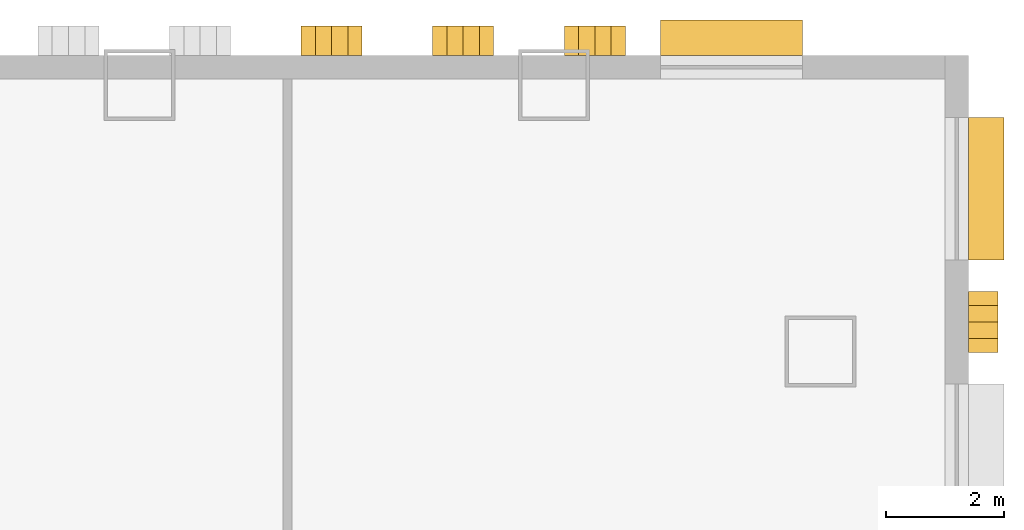
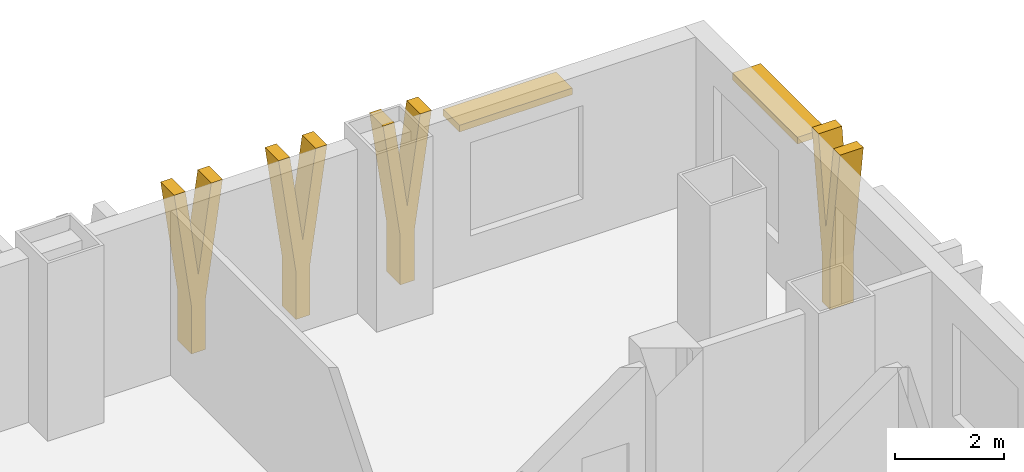
# One storey, part 25 of 25: 6 shading devices.
"""IFC4 building model written with IfcOpenShell, lengths in metres."""

import ifcopenshell
import ifcopenshell.guid

model = None  # the IFC model being written
_history = None  # IfcOwnerHistory: only IFC2X3 demands one
_inside = {}  # id of a spatial element -> (the spatial element, [elements in it])
_under = {}  # id of a project, library or spatial element -> (it, [spatial elements below it])
_declared = {}  # id of a project -> (the project, [libraries it declares])
_typed = {}  # id of a type object -> (the type object, [elements of that type])
_made_of = {}  # id of a material, layer set ... -> (it, [elements and type objects made of it])


def new_model(schema):
    """Start an empty IFC model of exactly this schema.

    Asked for "IFC4X3", IfcOpenShell would pick the latest addendum, in which some entities
    have other attributes; the version numbers below select the first issue.
    IFC2X3 requires an IfcOwnerHistory on every rooted entity: one is made here for all.
    """
    global model, _history
    if schema == "IFC4X3":
        model = ifcopenshell.file(schema_version=(4, 3, 0, 0))
    else:
        model = ifcopenshell.file(schema=schema)
    _inside.clear()
    _under.clear()
    _declared.clear()
    _typed.clear()
    _made_of.clear()
    _history = None
    if model.schema == "IFC2X3":
        org = make("IfcOrganization", Name="unknown")
        user = make(
            "IfcPersonAndOrganization",
            ThePerson=make("IfcPerson", FamilyName="unknown"),
            TheOrganization=org,
        )
        app = make(
            "IfcApplication",
            ApplicationDeveloper=org,
            Version="unknown",
            ApplicationFullName="unknown",
            ApplicationIdentifier="unknown",
        )
        _history = make(
            "IfcOwnerHistory",
            OwningUser=user,
            OwningApplication=app,
            ChangeAction="ADDED",
            CreationDate=0,
        )
    return model


def make(cls, **values):
    """One entity of the class cls with the attributes given. An attribute that is None is left unset."""
    return model.create_entity(
        cls, **{name: value for name, value in values.items() if value is not None}
    )


def rooted(cls, **values):
    """An entity with a GlobalId (a new one), such as an element, a storey or a relation."""
    return make(cls, GlobalId=ifcopenshell.guid.new(), OwnerHistory=_history, **values)


def si_unit(unit_type, name, prefix=None):
    """IfcSIUnit, for example si_unit("LENGTHUNIT", "METRE", prefix="MILLI")."""
    return make("IfcSIUnit", UnitType=unit_type, Prefix=prefix, Name=name)


def assignment(units):
    """IfcUnitAssignment: the units of a project."""
    return None if units is None else make("IfcUnitAssignment", Units=units)


def point(xyz):
    """IfcCartesianPoint."""
    return None if xyz is None else make("IfcCartesianPoint", Coordinates=xyz)


def direction(xyz):
    """IfcDirection."""
    return None if xyz is None else make("IfcDirection", DirectionRatios=xyz)


def frame(location, z_axis=None, x_axis=None):
    """IfcAxis2Placement3D, a coordinate frame: its origin and axes. An axis left out is left unset."""
    return make(
        "IfcAxis2Placement3D",
        Location=point(location),
        Axis=direction(z_axis),
        RefDirection=direction(x_axis),
    )


def frame_2d(location, x_axis=None):
    """IfcAxis2Placement2D, a coordinate frame in the plane: its origin and x axis."""
    return make(
        "IfcAxis2Placement2D", Location=point(location), RefDirection=direction(x_axis)
    )


def origin():
    """The frame at (0, 0, 0) with its axes left unset."""
    return frame((0.0, 0.0, 0.0))


def origin_2d():
    """The frame at (0, 0) in the plane with its x axis left unset."""
    return frame_2d((0.0, 0.0))


def place(relative_to, where):
    """IfcLocalPlacement: puts the frame where relative to a parent placement (None: the world)."""
    return make(
        "IfcLocalPlacement", PlacementRelTo=relative_to, RelativePlacement=where
    )


def context(
    kind, dimensions, precision=None, world=None, true_north=None, identifier=None
):
    """IfcGeometricRepresentationContext, for example the 3D "Model" context."""
    return make(
        "IfcGeometricRepresentationContext",
        ContextIdentifier=identifier,
        ContextType=kind,
        CoordinateSpaceDimension=dimensions,
        Precision=precision,
        WorldCoordinateSystem=world,
        TrueNorth=true_north,
    )


def subcontext(parent, identifier, kind, view, scale=None):
    """IfcGeometricRepresentationSubContext, for example "Body" below "Model"."""
    return make(
        "IfcGeometricRepresentationSubContext",
        ContextIdentifier=identifier,
        ContextType=kind,
        ParentContext=parent,
        TargetScale=scale,
        TargetView=view,
    )


def project(units=None, contexts=None):
    """IfcProject with its units and contexts."""
    return rooted(
        "IfcProject",
        Name="project",
        RepresentationContexts=contexts,
        UnitsInContext=assignment(units),
    )


def spatial(cls, under=None, at=None, **own):
    """A site, building, storey or space (cls), placed at a placement, below another one or the project."""
    s = rooted(cls, ObjectPlacement=at, **own)
    if under is not None:
        _under.setdefault(under.id(), (under, []))[1].append(s)
    return s


def polyline(points):
    """IfcPolyline through the points."""
    return make("IfcPolyline", Points=[point(p) for p in points])


def profile(cls, at=None, kind="AREA", **sizes):
    """A parametric profile (cls). Its sizes go by their IFC names, for example OverallWidth=200.0."""
    return make(cls, ProfileType=kind, Position=at, **sizes)


def rectangle(**sizes):
    """IfcRectangleProfileDef."""
    return profile("IfcRectangleProfileDef", **sizes)


def outline(outer, holes=None, kind="AREA"):
    """IfcArbitraryClosedProfileDef: a profile drawn as a closed curve; with holes, ...WithVoids."""
    if holes is None:
        return make("IfcArbitraryClosedProfileDef", ProfileType=kind, OuterCurve=outer)
    return make(
        "IfcArbitraryProfileDefWithVoids",
        ProfileType=kind,
        OuterCurve=outer,
        InnerCurves=holes,
    )


def extrude(swept, where, along, depth):
    """IfcExtrudedAreaSolid: the profile swept, set in the frame where, extruded along a direction by depth."""
    return make(
        "IfcExtrudedAreaSolid",
        SweptArea=swept,
        Position=where,
        ExtrudedDirection=direction(along),
        Depth=depth,
    )


def shape(context_of_items, identifier, shape_type, items):
    """IfcShapeRepresentation: the items that make up one representation, for example the "Body"."""
    return make(
        "IfcShapeRepresentation",
        ContextOfItems=context_of_items,
        RepresentationIdentifier=identifier,
        RepresentationType=shape_type,
        Items=items,
    )


def material(Name=None, Category=None):
    """IfcMaterial."""
    return make("IfcMaterial", Name=Name, Category=Category)


def layer(
    of_material, thickness, ventilated=None, Name=None, Category=None, Priority=None
):
    """IfcMaterialLayer: one layer of a wall or slab, of a material (None: an air gap)."""
    return make(
        "IfcMaterialLayer",
        Material=of_material,
        LayerThickness=thickness,
        IsVentilated=ventilated,
        Name=Name,
        Category=Category,
        Priority=Priority,
    )


def layer_set(layers, Name=None):
    """IfcMaterialLayerSet."""
    return make("IfcMaterialLayerSet", MaterialLayers=layers, LayerSetName=Name)


def made_of(thing, what):
    """Note that an element or type object is made of a material, layer set ...; save() writes the relation."""
    if what is not None:
        _made_of.setdefault(what.id(), (what, []))[1].append(thing)
    return thing


def type_object(cls, material=None, **own):
    """A type object (cls), such as IfcWallType, which elements share."""
    return made_of(rooted(cls, **own), material)


def element(
    cls,
    number,
    at=None,
    inside=None,
    cuts=None,
    type_object=None,
    material=None,
    context=None,
    identifier="Body",
    shape_type=None,
    held_by="IfcProductDefinitionShape",
    body=None,
    shapes=None,
    **own,
):
    """One element of the class cls, such as IfcWall. Its Tag is "e" and its number.

    at: its placement. inside: the storey or other place that contains it. cuts: it is an
    opening in that element (IfcRelVoidsElement). A single representation is given by context,
    identifier, shape_type and body (its items); several are given by shapes. held_by: the class
    of the entity that holds the representations. save() writes the other relations.
    """
    e = rooted(cls, Tag="e%d" % number, ObjectPlacement=at, **own)
    if body is not None:
        shapes = [shape(context, identifier, shape_type, body)]
    if shapes is not None:
        e.Representation = make(held_by, Representations=shapes)
    if inside is not None:
        _inside.setdefault(inside.id(), (inside, []))[1].append(e)
    if cuts is not None:
        rooted(
            "IfcRelVoidsElement", RelatingBuildingElement=cuts, RelatedOpeningElement=e
        )
    if type_object is not None:
        _typed.setdefault(type_object.id(), (type_object, []))[1].append(e)
    return made_of(e, material)


def aggregate(whole, parts):
    """IfcRelAggregates: a whole, such as a stair, and the parts it consists of."""
    return rooted("IfcRelAggregates", RelatingObject=whole, RelatedObjects=parts)


def save(model, path):
    """Write the relations noted so far, then the file.

    IfcRelAggregates (storeys below a building ...), IfcRelContainedInSpatialStructure (elements
    in a storey), IfcRelDefinesByType, IfcRelAssociatesMaterial and IfcRelDeclares: one each for
    every whole, place, type object, material and project.
    """
    for whole, parts in _under.values():
        aggregate(whole, parts)
    for where, things in _inside.values():
        rooted(
            "IfcRelContainedInSpatialStructure",
            RelatedElements=things,
            RelatingStructure=where,
        )
    for kind, things in _typed.values():
        rooted("IfcRelDefinesByType", RelatedObjects=things, RelatingType=kind)
    for what, things in _made_of.values():
        rooted("IfcRelAssociatesMaterial", RelatedObjects=things, RelatingMaterial=what)
    for by, libraries in _declared.values():
        rooted("IfcRelDeclares", RelatingContext=by, RelatedDefinitions=libraries)
    model.write(path)


model = new_model("IFC4")

# Units and contexts
model_context = context("Model", 3, precision=1e-05, world=origin(), true_north=direction((0.0, 1.0)))
body_context = subcontext(model_context, "Body", "Model", "MODEL_VIEW")
ifc_project = project(units=[si_unit("LENGTHUNIT", "METRE"), si_unit("AREAUNIT", "SQUARE_METRE"), si_unit("VOLUMEUNIT", "CUBIC_METRE"), si_unit("PLANEANGLEUNIT", "RADIAN"), si_unit("MASSUNIT", "GRAM", prefix="KILO")], contexts=[model_context])

# Site, building, storey
site_placement = place(None, origin())
site = spatial("IfcSite", under=ifc_project, at=site_placement, CompositionType="ELEMENT")
building_placement = place(site_placement, origin())
building = spatial("IfcBuilding", under=site, at=building_placement, Name="Vidyagriha Tower", CompositionType="ELEMENT")
storey_placement = place(building_placement, frame((0.0, 0.0, 14.0)))
storey = spatial("IfcBuildingStorey", under=building, at=storey_placement, Name="L03", CompositionType="ELEMENT", Elevation=14.0)

# Shading devices
ifc_material_1 = material(Name="Precast concrete C40/50 with brick facing", Category="concrete")
ifc_layer_1 = layer(ifc_material_1, 0.14990234375)
ifc_layer_set_1 = layer_set([ifc_layer_1], Name="Precast concrete C40/50 with brick facing")
shading_device_type_1 = type_object("IfcShadingDeviceType", Name="Brick chhajja window hood", PredefinedType="AWNING", material=ifc_layer_set_1)
for number, where, z_axis, x_axis, name in (
    (1, (40.300048828125, 17.75, 3.0), (0.0, 0.0, 1.0), (0.0, 1.0, 0.0), "Window hood L03 R01.19"),
    (2, (36.0, 20.300048828125, 3.0), (0.0, 0.0, 1.0), (-1.0, 0.0, 0.0), "Window hood L03 R02.2"),
):
    element("IfcShadingDevice", number, at=place(storey_placement, frame(where, z_axis=z_axis, x_axis=x_axis)), inside=storey, type_object=shading_device_type_1, Name=name, PredefinedType="AWNING", context=body_context, shape_type="SweptSolid", body=[
        extrude(rectangle(XDim=2.39990234375, YDim=0.60009765625, at=origin_2d()), origin(), (0.0, 0.0, 1.0), 0.14990234375),
    ])
ifc_material_2 = material(Name="Precast concrete C40/50 with buff brick facing", Category="concrete")
ifc_layer_2 = layer(ifc_material_2, 0.300048828125)
ifc_layer_set_2 = layer_set([ifc_layer_2], Name="Precast concrete C40/50 with buff brick facing")
shading_device_type_2 = type_object("IfcShadingDeviceType", Name="Brick-faced podium blade forking 8 degrees", PredefinedType="USERDEFINED", material=ifc_layer_set_2)
for number, where, z_axis, x_axis, name in (
    (3, (40.25, 14.984619140625, 0.0), (0.0, 0.0, 1.0), (0.0, 1.0, 0.0), "Podium blade L03 R01.6550"),
    (4, (34.2041015625, 20.25, 0.0), (0.0, 0.0, 1.0), (-1.0, 0.0, 0.0), "Podium blade L03 R02.591"),
    (5, (31.981689453125, 20.25, 0.0), (0.0, 0.0, 1.0), (-1.0, 0.0, 0.0), "Podium blade L03 R02.813"),
    (6, (29.75927734375, 20.25, 0.0), (0.0, 0.0, 1.0), (-1.0, 0.0, 0.0), "Podium blade L03 R02.1036"),
):
    element("IfcShadingDevice", number, at=place(storey_placement, frame(where, z_axis=z_axis, x_axis=x_axis)), inside=storey, type_object=shading_device_type_2, Name=name, ObjectType="BLADE FIN", PredefinedType="USERDEFINED", context=body_context, shape_type="SweptSolid", body=[
        extrude(outline(polyline([(0.665283203125, 0.0), (0.665283203125, 1.10009765625), (1.03076171875, 3.699951171875), (0.790771484375, 3.699951171875), (0.515380859375, 1.740478515625), (0.239990234375, 3.699951171875), (0.0, 3.699951171875), (0.365478515625, 1.10009765625), (0.365478515625, 0.0), (0.665283203125, 0.0)])), frame((0.0, 0.25, 0.0), z_axis=(0.0, -1.0, 0.0), x_axis=(1.0, 0.0, 0.0)), (0.0, 0.0, 1.0), 0.5),
    ])

save(model, "model.ifc")
